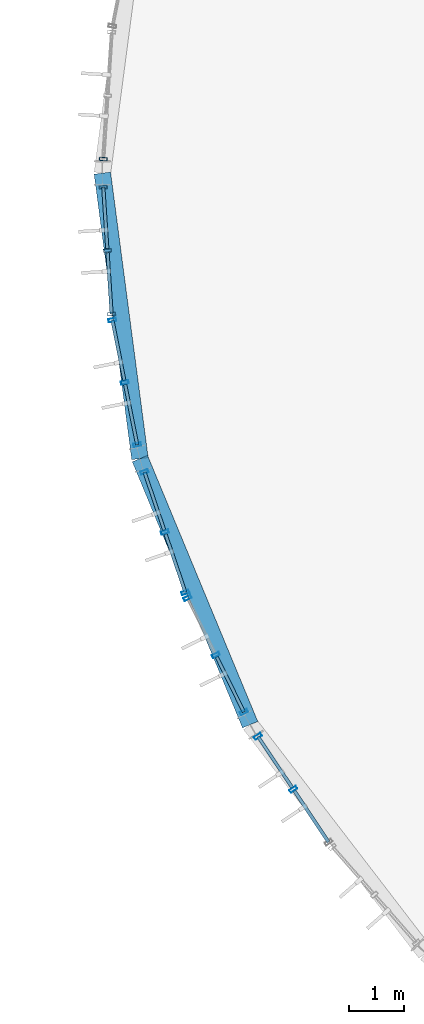
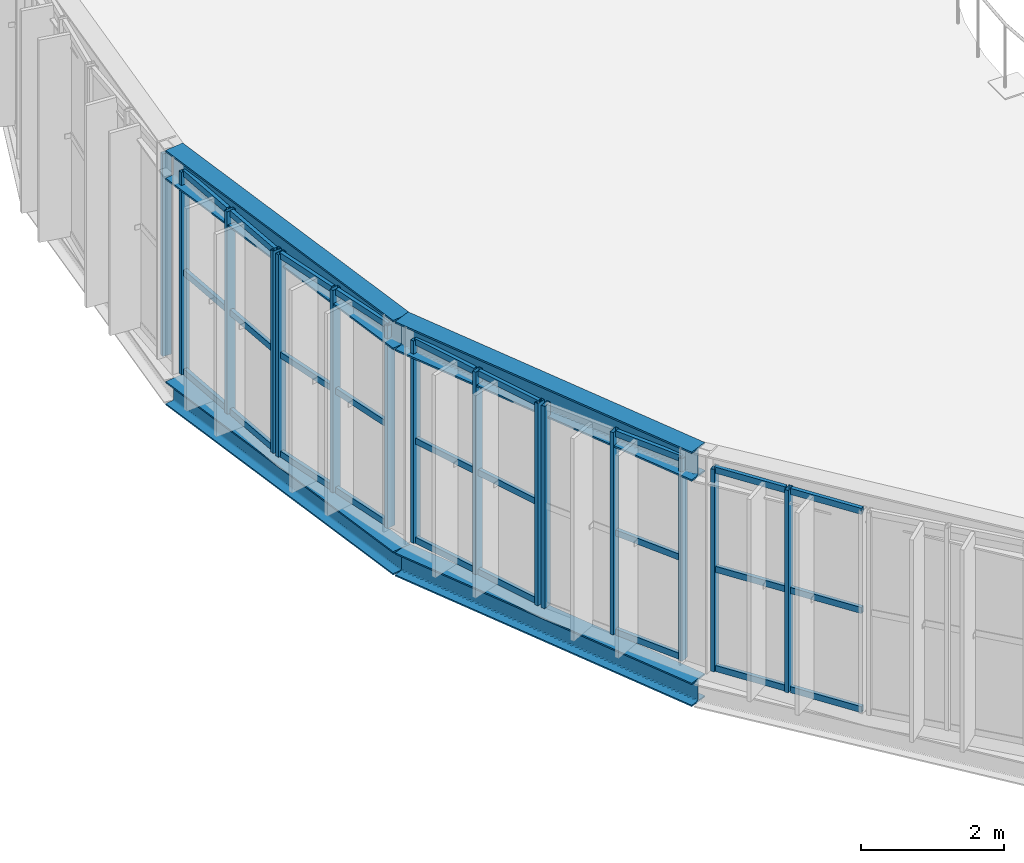
# One storey, part 16 of 152: 42 members, 4 beams, 6 elements without a shape of their own.
"""IFC4 building model written with IfcOpenShell, lengths in metres."""

from ifc_helpers import new_model, si_unit, derived_unit, direction, frame, origin, origin_2d, place, context, subcontext, project, spatial, hollow_rectangle, i_section, extrude, material, material_profile, profile_set, type_object, element, aggregate, save


model = new_model("IFC4")

# Units and contexts
model_context = context("Model", 3, precision=1e-05, world=origin(), true_north=direction((0.0, 1.0)))
body_context = subcontext(model_context, "Body", "Model", "MODEL_VIEW")
ifc_project = project(units=[si_unit("LENGTHUNIT", "METRE"), si_unit("AREAUNIT", "SQUARE_METRE"), si_unit("VOLUMEUNIT", "CUBIC_METRE"), si_unit("PLANEANGLEUNIT", "RADIAN"), si_unit("MASSUNIT", "GRAM", prefix="KILO"), si_unit("THERMODYNAMICTEMPERATUREUNIT", "KELVIN"), si_unit("TIMEUNIT", "SECOND"), derived_unit("THERMALTRANSMITTANCEUNIT", [(si_unit("MASSUNIT", "GRAM", prefix="KILO"), 1), (si_unit("THERMODYNAMICTEMPERATUREUNIT", "KELVIN"), -1), (si_unit("TIMEUNIT", "SECOND"), -3)])], contexts=[model_context])

# Site, building, storey
site_placement = place(None, origin())
site = spatial("IfcSite", under=ifc_project, at=site_placement, CompositionType="ELEMENT")
building_placement = place(site_placement, origin())
building = spatial("IfcBuilding", under=site, at=building_placement, Name="Cambertide Market Hall", CompositionType="ELEMENT")
storey_placement = place(building_placement, frame((0.0, 0.0, 5.39990234375)))
storey = spatial("IfcBuildingStorey", under=building, at=storey_placement, Name="L02", CompositionType="ELEMENT", Elevation=5.39990234375)

# Curtain wall, member
ifc_material_1 = material(Name="Marine Anodized Aluminium 6063-T6 AA25", Category="aluminium")
curtain_wall_type = type_object("IfcCurtainWallType", Name="Lantern Apse Chord Upper Curtain Wall", PredefinedType="USERDEFINED", material=ifc_material_1)
curtain_wall_1_placement = place(storey_placement, origin())
curtain_wall_1 = element("IfcCurtainWall", 1, at=curtain_wall_1_placement, inside=storey, type_object=curtain_wall_type, Name="Level 2 Curtain Wall CW-V1AW-L02-12", ObjectType="UNITIZED CURTAIN WALL", PredefinedType="USERDEFINED")
ifc_material_2 = material(Name="Champagne Marine Anodized Aluminium 6063-T6 AA25", Category="aluminium")
ifc_material_profile_1 = material_profile(ifc_material_2, hollow_rectangle(XDim=0.06005859375, YDim=0.139892578125, WallThickness=0.00341796875, at=origin_2d()), Name="ALU MULLION 60x140")
ifc_profile_set_1 = profile_set([ifc_material_profile_1], Name="Champagne Marine Anodized Aluminium 6063-T6 AA25")
member_type_1 = type_object("IfcMemberType", Name="Curtain Wall Mullion ALU MULLION 60x140", PredefinedType="MULLION", material=ifc_profile_set_1)
member_1_placement = place(storey_placement, frame((22.0166015625, 72.25439453125, 0.0), z_axis=(0.0, 0.0, 1.0), x_axis=(0.065403211921, 0.997858917819, 0.0)))
member_1 = element("IfcMember", 2, at=member_1_placement, type_object=member_type_1, Name="CW-V1AW-L02-12 Mullion 1", PredefinedType="MULLION", context=body_context, shape_type="SweptSolid", body=[
    extrude(hollow_rectangle(XDim=0.06005859375, YDim=0.139892578125, WallThickness=0.00341796875, at=origin_2d()), origin(), (0.0, 0.0, 1.0), 3.4501953125),
])
aggregate(curtain_wall_1, [member_1])

# Curtain wall, members
curtain_wall_2_placement = place(storey_placement, origin())
curtain_wall_2 = element("IfcCurtainWall", 3, at=curtain_wall_2_placement, inside=storey, type_object=curtain_wall_type, Name="Level 2 Curtain Wall CW-V1AW-L02-13", ObjectType="UNITIZED CURTAIN WALL", PredefinedType="USERDEFINED")
member_2_placement = place(storey_placement, frame((22.16748046875, 69.4443359375, 0.0), z_axis=(0.0, 0.0, 1.0), x_axis=(-0.065403211921, 0.997858917819, 0.0)))
member_2 = element("IfcMember", 4, at=member_2_placement, type_object=member_type_1, Name="CW-V1AW-L02-13 Mullion 1", PredefinedType="MULLION", context=body_context, shape_type="SweptSolid", body=[
    extrude(hollow_rectangle(XDim=0.06005859375, YDim=0.139892578125, WallThickness=0.00341796875, at=origin_2d()), origin(), (0.0, 0.0, 1.0), 3.4501953125),
])
member_3_placement = place(storey_placement, frame((22.092041015625, 70.594970703125, 0.0), z_axis=(0.0, 0.0, 1.0), x_axis=(-0.065403211921, 0.997858917819, 0.0)))
member_3 = element("IfcMember", 5, at=member_3_placement, type_object=member_type_1, Name="CW-V1AW-L02-13 Mullion 2", PredefinedType="MULLION", context=body_context, shape_type="SweptSolid", body=[
    extrude(hollow_rectangle(XDim=0.06005859375, YDim=0.139892578125, WallThickness=0.00341796875, at=origin_2d()), origin(), (0.0, 0.0, 1.0), 3.4501953125),
])
member_4_placement = place(storey_placement, frame((22.0166015625, 71.74560546875, 0.0), z_axis=(0.0, 0.0, 1.0), x_axis=(-0.065403211921, 0.997858917819, 0.0)))
member_4 = element("IfcMember", 6, at=member_4_placement, type_object=member_type_1, Name="CW-V1AW-L02-13 Mullion 3", PredefinedType="MULLION", context=body_context, shape_type="SweptSolid", body=[
    extrude(hollow_rectangle(XDim=0.06005859375, YDim=0.139892578125, WallThickness=0.00341796875, at=origin_2d()), origin(), (0.0, 0.0, 1.0), 3.4501953125),
])

curtain_wall_3_placement = place(storey_placement, origin())
curtain_wall_3 = element("IfcCurtainWall", 7, at=curtain_wall_3_placement, inside=storey, type_object=curtain_wall_type, Name="Level 2 Curtain Wall CW-V1AW-L02-14", ObjectType="UNITIZED CURTAIN WALL", PredefinedType="USERDEFINED")
member_5_placement = place(storey_placement, frame((22.6318359375, 67.07373046875, 0.0), z_axis=(0.0, 0.0, 1.0), x_axis=(-0.195090068226, 0.980785330885, 0.0)))
member_5 = element("IfcMember", 8, at=member_5_placement, type_object=member_type_1, Name="CW-V1AW-L02-14 Mullion 1", PredefinedType="MULLION", context=body_context, shape_type="SweptSolid", body=[
    extrude(hollow_rectangle(XDim=0.06005859375, YDim=0.139892578125, WallThickness=0.00341796875, at=origin_2d()), origin(), (0.0, 0.0, 1.0), 3.4501953125),
])
member_6_placement = place(storey_placement, frame((22.40673828125, 68.20458984375, 0.0), z_axis=(0.0, 0.0, 1.0), x_axis=(-0.195090068226, 0.980785330885, 0.0)))
member_6 = element("IfcMember", 9, at=member_6_placement, type_object=member_type_1, Name="CW-V1AW-L02-14 Mullion 2", PredefinedType="MULLION", context=body_context, shape_type="SweptSolid", body=[
    extrude(hollow_rectangle(XDim=0.06005859375, YDim=0.139892578125, WallThickness=0.00341796875, at=origin_2d()), origin(), (0.0, 0.0, 1.0), 3.4501953125),
])
member_7_placement = place(storey_placement, frame((22.181884765625, 69.33544921875, 0.0), z_axis=(0.0, 0.0, 1.0), x_axis=(-0.195090068226, 0.980785330885, 0.0)))
member_7 = element("IfcMember", 10, at=member_7_placement, type_object=member_type_1, Name="CW-V1AW-L02-14 Mullion 3", PredefinedType="MULLION", context=body_context, shape_type="SweptSolid", body=[
    extrude(hollow_rectangle(XDim=0.06005859375, YDim=0.139892578125, WallThickness=0.00341796875, at=origin_2d()), origin(), (0.0, 0.0, 1.0), 3.4501953125),
])

curtain_wall_4_placement = place(storey_placement, origin())
curtain_wall_4 = element("IfcCurtainWall", 11, at=curtain_wall_4_placement, inside=storey, type_object=curtain_wall_type, Name="Level 2 Curtain Wall CW-V1AW-L02-15", ObjectType="UNITIZED CURTAIN WALL", PredefinedType="USERDEFINED")
member_8_placement = place(storey_placement, frame((23.504638671875, 64.3984375, 0.0), z_axis=(0.0, 0.0, 1.0), x_axis=(-0.32143947831, 0.94693012508, 0.0)))
member_8 = element("IfcMember", 12, at=member_8_placement, type_object=member_type_1, Name="CW-V1AW-L02-15 Mullion 1", PredefinedType="MULLION", context=body_context, shape_type="SweptSolid", body=[
    extrude(hollow_rectangle(XDim=0.06005859375, YDim=0.139892578125, WallThickness=0.00341796875, at=origin_2d()), origin(), (0.0, 0.0, 1.0), 3.4501953125),
])
member_9_placement = place(storey_placement, frame((23.134033203125, 65.490234375, 0.0), z_axis=(0.0, 0.0, 1.0), x_axis=(-0.32143947831, 0.94693012508, 0.0)))
member_9 = element("IfcMember", 13, at=member_9_placement, type_object=member_type_1, Name="CW-V1AW-L02-15 Mullion 2", PredefinedType="MULLION", context=body_context, shape_type="SweptSolid", body=[
    extrude(hollow_rectangle(XDim=0.06005859375, YDim=0.139892578125, WallThickness=0.00341796875, at=origin_2d()), origin(), (0.0, 0.0, 1.0), 3.4501953125),
])
member_10_placement = place(storey_placement, frame((22.763427734375, 66.58203125, 0.0), z_axis=(0.0, 0.0, 1.0), x_axis=(-0.32143947831, 0.94693012508, 0.0)))
member_10 = element("IfcMember", 14, at=member_10_placement, type_object=member_type_1, Name="CW-V1AW-L02-15 Mullion 3", PredefinedType="MULLION", context=body_context, shape_type="SweptSolid", body=[
    extrude(hollow_rectangle(XDim=0.06005859375, YDim=0.139892578125, WallThickness=0.00341796875, at=origin_2d()), origin(), (0.0, 0.0, 1.0), 3.4501953125),
])

curtain_wall_5_placement = place(storey_placement, origin())
curtain_wall_5 = element("IfcCurtainWall", 15, at=curtain_wall_5_placement, inside=storey, type_object=curtain_wall_type, Name="Level 2 Curtain Wall CW-V1AW-L02-16", ObjectType="UNITIZED CURTAIN WALL", PredefinedType="USERDEFINED")
member_11_placement = place(storey_placement, frame((24.566650390625, 62.228759765625, 0.0), z_axis=(0.0, 0.0, 1.0), x_axis=(-0.442288874522, 0.896872650645, 0.0)))
member_11 = element("IfcMember", 16, at=member_11_placement, type_object=member_type_1, Name="CW-V1AW-L02-16 Mullion 1", PredefinedType="MULLION", context=body_context, shape_type="SweptSolid", body=[
    extrude(hollow_rectangle(XDim=0.06005859375, YDim=0.139892578125, WallThickness=0.00341796875, at=origin_2d()), origin(), (0.0, 0.0, 1.0), 3.4501953125),
])
member_12_placement = place(storey_placement, frame((24.056640625, 63.262939453125, 0.0), z_axis=(0.0, 0.0, 1.0), x_axis=(-0.442288874522, 0.896872650645, 0.0)))
member_12 = element("IfcMember", 17, at=member_12_placement, type_object=member_type_1, Name="CW-V1AW-L02-16 Mullion 2", PredefinedType="MULLION", context=body_context, shape_type="SweptSolid", body=[
    extrude(hollow_rectangle(XDim=0.06005859375, YDim=0.139892578125, WallThickness=0.00341796875, at=origin_2d()), origin(), (0.0, 0.0, 1.0), 3.4501953125),
])
member_13_placement = place(storey_placement, frame((23.546630859375, 64.297119140625, 0.0), z_axis=(0.0, 0.0, 1.0), x_axis=(-0.442288874522, 0.896872650645, 0.0)))
member_13 = element("IfcMember", 18, at=member_13_placement, type_object=member_type_1, Name="CW-V1AW-L02-16 Mullion 3", PredefinedType="MULLION", context=body_context, shape_type="SweptSolid", body=[
    extrude(hollow_rectangle(XDim=0.06005859375, YDim=0.139892578125, WallThickness=0.00341796875, at=origin_2d()), origin(), (0.0, 0.0, 1.0), 3.4501953125),
])

curtain_wall_6_placement = place(storey_placement, origin())
curtain_wall_6 = element("IfcCurtainWall", 19, at=curtain_wall_6_placement, inside=storey, type_object=curtain_wall_type, Name="Level 2 Curtain Wall CW-V1AW-L02-17", ObjectType="UNITIZED CURTAIN WALL", PredefinedType="USERDEFINED")
member_14_placement = place(storey_placement, frame((25.461669921875, 60.829345703125, 0.0), z_axis=(0.0, 0.0, 1.0), x_axis=(-0.555570087582, 0.831469709481, 0.0)))
member_14 = element("IfcMember", 20, at=member_14_placement, type_object=member_type_1, Name="CW-V1AW-L02-17 Mullion 2", PredefinedType="MULLION", context=body_context, shape_type="SweptSolid", body=[
    extrude(hollow_rectangle(XDim=0.06005859375, YDim=0.139892578125, WallThickness=0.00341796875, at=origin_2d()), origin(), (0.0, 0.0, 1.0), 3.4501953125),
])
member_15_placement = place(storey_placement, frame((24.821044921875, 61.7880859375, 0.0), z_axis=(0.0, 0.0, 1.0), x_axis=(-0.555570087582, 0.831469709481, 0.0)))
member_15 = element("IfcMember", 21, at=member_15_placement, type_object=member_type_1, Name="CW-V1AW-L02-17 Mullion 3", PredefinedType="MULLION", context=body_context, shape_type="SweptSolid", body=[
    extrude(hollow_rectangle(XDim=0.06005859375, YDim=0.139892578125, WallThickness=0.00341796875, at=origin_2d()), origin(), (0.0, 0.0, 1.0), 3.4501953125),
])

# Member
ifc_material_3 = material(Name="Champagne Marine Anodized Aluminium 6063-T6 AA25", Category="aluminium")
ifc_material_profile_2 = material_profile(ifc_material_3, hollow_rectangle(XDim=0.06005859375, YDim=0.10498046875, WallThickness=0.0029296875, at=origin_2d()), Name="ALU TRANSOM 60x105")
ifc_profile_set_2 = profile_set([ifc_material_profile_2], Name="Champagne Marine Anodized Aluminium 6063-T6 AA25")
member_type_2 = type_object("IfcMemberType", Name="Curtain Wall Transom ALU TRANSOM 60x105", PredefinedType="USERDEFINED", material=ifc_profile_set_2)
member_16_placement = place(storey_placement, frame((22.167236328125, 69.449462890625, 0.03515625), z_axis=(-0.065451228695, 0.997855769469, 0.0), x_axis=(-0.997855769469, -0.065451228695, 0.0)))
member_16 = element("IfcMember", 22, at=member_16_placement, type_object=member_type_2, Name="CW-V1AW-L02-13 Transom 1-1", ObjectType="TRANSOM", PredefinedType="USERDEFINED", context=body_context, shape_type="SweptSolid", body=[
    extrude(hollow_rectangle(XDim=0.06005859375, YDim=0.10498046875, WallThickness=0.0029296875, at=origin_2d()), origin(), (0.0, 0.0, 1.0), 1.10791015625),
])

member_17_placement = place(storey_placement, frame((22.08935546875, 70.634765625, 0.03515625), z_axis=(-0.065217451634, 0.997871075842, 0.0), x_axis=(-0.997871075842, -0.065217451634, 0.0)))
member_17 = element("IfcMember", 23, at=member_17_placement, type_object=member_type_2, Name="CW-V1AW-L02-13 Transom 1-2", ObjectType="TRANSOM", PredefinedType="USERDEFINED", context=body_context, shape_type="SweptSolid", body=[
    extrude(hollow_rectangle(XDim=0.06005859375, YDim=0.10498046875, WallThickness=0.0029296875, at=origin_2d()), origin(), (0.0, 0.0, 1.0), 1.108154296875),
])

member_18_placement = place(storey_placement, frame((22.167236328125, 69.449462890625, 1.72509765625), z_axis=(-0.065451228695, 0.997855769469, 0.0), x_axis=(-0.997855769469, -0.065451228695, 0.0)))
member_18 = element("IfcMember", 24, at=member_18_placement, type_object=member_type_2, Name="CW-V1AW-L02-13 Transom 2-1", ObjectType="TRANSOM", PredefinedType="USERDEFINED", context=body_context, shape_type="SweptSolid", body=[
    extrude(hollow_rectangle(XDim=0.06005859375, YDim=0.10498046875, WallThickness=0.0029296875, at=origin_2d()), origin(), (0.0, 0.0, 1.0), 1.10791015625),
])

member_19_placement = place(storey_placement, frame((22.08935546875, 70.634765625, 1.72509765625), z_axis=(-0.065217451634, 0.997871075842, 0.0), x_axis=(-0.997871075842, -0.065217451634, 0.0)))
member_19 = element("IfcMember", 25, at=member_19_placement, type_object=member_type_2, Name="CW-V1AW-L02-13 Transom 2-2", ObjectType="TRANSOM", PredefinedType="USERDEFINED", context=body_context, shape_type="SweptSolid", body=[
    extrude(hollow_rectangle(XDim=0.06005859375, YDim=0.10498046875, WallThickness=0.0029296875, at=origin_2d()), origin(), (0.0, 0.0, 1.0), 1.108154296875),
])

member_20_placement = place(storey_placement, frame((22.167236328125, 69.449462890625, 3.4150390625), z_axis=(-0.065451228695, 0.997855769469, 0.0), x_axis=(-0.997855769469, -0.065451228695, 0.0)))
member_20 = element("IfcMember", 26, at=member_20_placement, type_object=member_type_2, Name="CW-V1AW-L02-13 Transom 3-1", ObjectType="TRANSOM", PredefinedType="USERDEFINED", context=body_context, shape_type="SweptSolid", body=[
    extrude(hollow_rectangle(XDim=0.06005859375, YDim=0.10498046875, WallThickness=0.0029296875, at=origin_2d()), origin(), (0.0, 0.0, 1.0), 1.10791015625),
])

member_21_placement = place(storey_placement, frame((22.08935546875, 70.634765625, 3.4150390625), z_axis=(-0.065217451634, 0.997871075842, 0.0), x_axis=(-0.997871075842, -0.065217451634, 0.0)))
member_21 = element("IfcMember", 27, at=member_21_placement, type_object=member_type_2, Name="CW-V1AW-L02-13 Transom 3-2", ObjectType="TRANSOM", PredefinedType="USERDEFINED", context=body_context, shape_type="SweptSolid", body=[
    extrude(hollow_rectangle(XDim=0.06005859375, YDim=0.10498046875, WallThickness=0.0029296875, at=origin_2d()), origin(), (0.0, 0.0, 1.0), 1.108154296875),
])

aggregate(curtain_wall_2, [member_2, member_3, member_4, member_16, member_17, member_18, member_19, member_20, member_21])

member_22_placement = place(storey_placement, frame((22.630859375, 67.07861328125, 0.03515625), z_axis=(-0.195226197175, 0.980758243369, 0.0), x_axis=(-0.980758243369, -0.195226197175, 0.0)))
member_22 = element("IfcMember", 28, at=member_22_placement, type_object=member_type_2, Name="CW-V1AW-L02-14 Transom 1-1", ObjectType="TRANSOM", PredefinedType="USERDEFINED", context=body_context, shape_type="SweptSolid", body=[
    extrude(hollow_rectangle(XDim=0.06005859375, YDim=0.10498046875, WallThickness=0.0029296875, at=origin_2d()), origin(), (0.0, 0.0, 1.0), 1.10791015625),
])

member_23_placement = place(storey_placement, frame((22.39892578125, 68.243896484375, 0.03515625), z_axis=(-0.195014235999, 0.980800411785, 0.0), x_axis=(-0.980800411785, -0.195014235999, 0.0)))
member_23 = element("IfcMember", 29, at=member_23_placement, type_object=member_type_2, Name="CW-V1AW-L02-14 Transom 1-2", ObjectType="TRANSOM", PredefinedType="USERDEFINED", context=body_context, shape_type="SweptSolid", body=[
    extrude(hollow_rectangle(XDim=0.06005859375, YDim=0.10498046875, WallThickness=0.0029296875, at=origin_2d()), origin(), (0.0, 0.0, 1.0), 1.10791015625),
])

member_24_placement = place(storey_placement, frame((22.630859375, 67.07861328125, 1.72509765625), z_axis=(-0.195226197175, 0.980758243369, 0.0), x_axis=(-0.980758243369, -0.195226197175, 0.0)))
member_24 = element("IfcMember", 30, at=member_24_placement, type_object=member_type_2, Name="CW-V1AW-L02-14 Transom 2-1", ObjectType="TRANSOM", PredefinedType="USERDEFINED", context=body_context, shape_type="SweptSolid", body=[
    extrude(hollow_rectangle(XDim=0.06005859375, YDim=0.10498046875, WallThickness=0.0029296875, at=origin_2d()), origin(), (0.0, 0.0, 1.0), 1.10791015625),
])

member_25_placement = place(storey_placement, frame((22.39892578125, 68.243896484375, 1.72509765625), z_axis=(-0.195014235999, 0.980800411785, 0.0), x_axis=(-0.980800411785, -0.195014235999, 0.0)))
member_25 = element("IfcMember", 31, at=member_25_placement, type_object=member_type_2, Name="CW-V1AW-L02-14 Transom 2-2", ObjectType="TRANSOM", PredefinedType="USERDEFINED", context=body_context, shape_type="SweptSolid", body=[
    extrude(hollow_rectangle(XDim=0.06005859375, YDim=0.10498046875, WallThickness=0.0029296875, at=origin_2d()), origin(), (0.0, 0.0, 1.0), 1.10791015625),
])

member_26_placement = place(storey_placement, frame((22.630859375, 67.07861328125, 3.4150390625), z_axis=(-0.195226197175, 0.980758243369, 0.0), x_axis=(-0.980758243369, -0.195226197175, 0.0)))
member_26 = element("IfcMember", 32, at=member_26_placement, type_object=member_type_2, Name="CW-V1AW-L02-14 Transom 3-1", ObjectType="TRANSOM", PredefinedType="USERDEFINED", context=body_context, shape_type="SweptSolid", body=[
    extrude(hollow_rectangle(XDim=0.06005859375, YDim=0.10498046875, WallThickness=0.0029296875, at=origin_2d()), origin(), (0.0, 0.0, 1.0), 1.10791015625),
])

member_27_placement = place(storey_placement, frame((22.39892578125, 68.243896484375, 3.4150390625), z_axis=(-0.195014235999, 0.980800411785, 0.0), x_axis=(-0.980800411785, -0.195014235999, 0.0)))
member_27 = element("IfcMember", 33, at=member_27_placement, type_object=member_type_2, Name="CW-V1AW-L02-14 Transom 3-2", ObjectType="TRANSOM", PredefinedType="USERDEFINED", context=body_context, shape_type="SweptSolid", body=[
    extrude(hollow_rectangle(XDim=0.06005859375, YDim=0.10498046875, WallThickness=0.0029296875, at=origin_2d()), origin(), (0.0, 0.0, 1.0), 1.10791015625),
])

aggregate(curtain_wall_3, [member_5, member_6, member_7, member_22, member_23, member_24, member_25, member_26, member_27])

member_28_placement = place(storey_placement, frame((23.503173828125, 64.403076171875, 0.03515625), z_axis=(-0.321444521782, 0.946928413037, 0.0), x_axis=(-0.946928413037, -0.321444521782, 0.0)))
member_28 = element("IfcMember", 34, at=member_28_placement, type_object=member_type_2, Name="CW-V1AW-L02-15 Transom 1-1", ObjectType="TRANSOM", PredefinedType="USERDEFINED", context=body_context, shape_type="SweptSolid", body=[
    extrude(hollow_rectangle(XDim=0.06005859375, YDim=0.10498046875, WallThickness=0.0029296875, at=origin_2d()), origin(), (0.0, 0.0, 1.0), 1.108154296875),
])

member_29_placement = place(storey_placement, frame((23.121337890625, 65.528076171875, 0.03515625), z_axis=(-0.321444521782, 0.946928413037, 0.0), x_axis=(-0.946928413037, -0.321444521782, 0.0)))
member_29 = element("IfcMember", 35, at=member_29_placement, type_object=member_type_2, Name="CW-V1AW-L02-15 Transom 1-2", ObjectType="TRANSOM", PredefinedType="USERDEFINED", context=body_context, shape_type="SweptSolid", body=[
    extrude(hollow_rectangle(XDim=0.06005859375, YDim=0.10498046875, WallThickness=0.0029296875, at=origin_2d()), origin(), (0.0, 0.0, 1.0), 1.108154296875),
])

member_30_placement = place(storey_placement, frame((23.503173828125, 64.403076171875, 1.72509765625), z_axis=(-0.321444521782, 0.946928413037, 0.0), x_axis=(-0.946928413037, -0.321444521782, 0.0)))
member_30 = element("IfcMember", 36, at=member_30_placement, type_object=member_type_2, Name="CW-V1AW-L02-15 Transom 2-1", ObjectType="TRANSOM", PredefinedType="USERDEFINED", context=body_context, shape_type="SweptSolid", body=[
    extrude(hollow_rectangle(XDim=0.06005859375, YDim=0.10498046875, WallThickness=0.0029296875, at=origin_2d()), origin(), (0.0, 0.0, 1.0), 1.108154296875),
])

member_31_placement = place(storey_placement, frame((23.121337890625, 65.528076171875, 1.72509765625), z_axis=(-0.321444521782, 0.946928413037, 0.0), x_axis=(-0.946928413037, -0.321444521782, 0.0)))
member_31 = element("IfcMember", 37, at=member_31_placement, type_object=member_type_2, Name="CW-V1AW-L02-15 Transom 2-2", ObjectType="TRANSOM", PredefinedType="USERDEFINED", context=body_context, shape_type="SweptSolid", body=[
    extrude(hollow_rectangle(XDim=0.06005859375, YDim=0.10498046875, WallThickness=0.0029296875, at=origin_2d()), origin(), (0.0, 0.0, 1.0), 1.108154296875),
])

member_32_placement = place(storey_placement, frame((23.503173828125, 64.403076171875, 3.4150390625), z_axis=(-0.321444521782, 0.946928413037, 0.0), x_axis=(-0.946928413037, -0.321444521782, 0.0)))
member_32 = element("IfcMember", 38, at=member_32_placement, type_object=member_type_2, Name="CW-V1AW-L02-15 Transom 3-1", ObjectType="TRANSOM", PredefinedType="USERDEFINED", context=body_context, shape_type="SweptSolid", body=[
    extrude(hollow_rectangle(XDim=0.06005859375, YDim=0.10498046875, WallThickness=0.0029296875, at=origin_2d()), origin(), (0.0, 0.0, 1.0), 1.108154296875),
])

member_33_placement = place(storey_placement, frame((23.121337890625, 65.528076171875, 3.4150390625), z_axis=(-0.321444521782, 0.946928413037, 0.0), x_axis=(-0.946928413037, -0.321444521782, 0.0)))
member_33 = element("IfcMember", 39, at=member_33_placement, type_object=member_type_2, Name="CW-V1AW-L02-15 Transom 3-2", ObjectType="TRANSOM", PredefinedType="USERDEFINED", context=body_context, shape_type="SweptSolid", body=[
    extrude(hollow_rectangle(XDim=0.06005859375, YDim=0.10498046875, WallThickness=0.0029296875, at=origin_2d()), origin(), (0.0, 0.0, 1.0), 1.108154296875),
])

aggregate(curtain_wall_4, [member_8, member_9, member_10, member_28, member_29, member_30, member_31, member_32, member_33])

member_34_placement = place(storey_placement, frame((24.564453125, 62.233154296875, 0.03515625), z_axis=(-0.442183235129, 0.896924738521, 0.0), x_axis=(-0.896924738521, -0.442183235129, 0.0)))
member_34 = element("IfcMember", 40, at=member_34_placement, type_object=member_type_2, Name="CW-V1AW-L02-16 Transom 1-1", ObjectType="TRANSOM", PredefinedType="USERDEFINED", context=body_context, shape_type="SweptSolid", body=[
    extrude(hollow_rectangle(XDim=0.06005859375, YDim=0.10498046875, WallThickness=0.0029296875, at=origin_2d()), origin(), (0.0, 0.0, 1.0), 1.108154296875),
])

member_35_placement = place(storey_placement, frame((24.564453125, 62.233154296875, 1.72509765625), z_axis=(-0.442183235129, 0.896924738521, 0.0), x_axis=(-0.896924738521, -0.442183235129, 0.0)))
member_35 = element("IfcMember", 41, at=member_35_placement, type_object=member_type_2, Name="CW-V1AW-L02-16 Transom 2-1", ObjectType="TRANSOM", PredefinedType="USERDEFINED", context=body_context, shape_type="SweptSolid", body=[
    extrude(hollow_rectangle(XDim=0.06005859375, YDim=0.10498046875, WallThickness=0.0029296875, at=origin_2d()), origin(), (0.0, 0.0, 1.0), 1.108154296875),
])

member_36_placement = place(storey_placement, frame((24.564453125, 62.233154296875, 3.4150390625), z_axis=(-0.442183235129, 0.896924738521, 0.0), x_axis=(-0.896924738521, -0.442183235129, 0.0)))
member_36 = element("IfcMember", 42, at=member_36_placement, type_object=member_type_2, Name="CW-V1AW-L02-16 Transom 3-1", ObjectType="TRANSOM", PredefinedType="USERDEFINED", context=body_context, shape_type="SweptSolid", body=[
    extrude(hollow_rectangle(XDim=0.06005859375, YDim=0.10498046875, WallThickness=0.0029296875, at=origin_2d()), origin(), (0.0, 0.0, 1.0), 1.108154296875),
])

aggregate(curtain_wall_5, [member_11, member_12, member_13, member_34, member_35, member_36])

member_37_placement = place(storey_placement, frame((26.099609375, 59.874755859375, 0.03515625), z_axis=(-0.55571677103, 0.831371680054, 0.0), x_axis=(-0.831371680054, -0.55571677103, 0.0)))
member_37 = element("IfcMember", 43, at=member_37_placement, type_object=member_type_2, Name="CW-V1AW-L02-17 Transom 1-1", ObjectType="TRANSOM", PredefinedType="USERDEFINED", context=body_context, shape_type="SweptSolid", body=[
    extrude(hollow_rectangle(XDim=0.06005859375, YDim=0.10498046875, WallThickness=0.0029296875, at=origin_2d()), origin(), (0.0, 0.0, 1.0), 1.10791015625),
])

member_38_placement = place(storey_placement, frame((25.439453125, 60.862548828125, 0.03515625), z_axis=(-0.555462658685, 0.83154148111, 0.0), x_axis=(-0.83154148111, -0.555462658685, 0.0)))
member_38 = element("IfcMember", 44, at=member_38_placement, type_object=member_type_2, Name="CW-V1AW-L02-17 Transom 1-2", ObjectType="TRANSOM", PredefinedType="USERDEFINED", context=body_context, shape_type="SweptSolid", body=[
    extrude(hollow_rectangle(XDim=0.06005859375, YDim=0.10498046875, WallThickness=0.0029296875, at=origin_2d()), origin(), (0.0, 0.0, 1.0), 1.108154296875),
])

member_39_placement = place(storey_placement, frame((26.099609375, 59.874755859375, 1.72509765625), z_axis=(-0.55571677103, 0.831371680054, 0.0), x_axis=(-0.831371680054, -0.55571677103, 0.0)))
member_39 = element("IfcMember", 45, at=member_39_placement, type_object=member_type_2, Name="CW-V1AW-L02-17 Transom 2-1", ObjectType="TRANSOM", PredefinedType="USERDEFINED", context=body_context, shape_type="SweptSolid", body=[
    extrude(hollow_rectangle(XDim=0.06005859375, YDim=0.10498046875, WallThickness=0.0029296875, at=origin_2d()), origin(), (0.0, 0.0, 1.0), 1.10791015625),
])

member_40_placement = place(storey_placement, frame((25.439453125, 60.862548828125, 1.72509765625), z_axis=(-0.555462658685, 0.83154148111, 0.0), x_axis=(-0.83154148111, -0.555462658685, 0.0)))
member_40 = element("IfcMember", 46, at=member_40_placement, type_object=member_type_2, Name="CW-V1AW-L02-17 Transom 2-2", ObjectType="TRANSOM", PredefinedType="USERDEFINED", context=body_context, shape_type="SweptSolid", body=[
    extrude(hollow_rectangle(XDim=0.06005859375, YDim=0.10498046875, WallThickness=0.0029296875, at=origin_2d()), origin(), (0.0, 0.0, 1.0), 1.108154296875),
])

member_41_placement = place(storey_placement, frame((26.099609375, 59.874755859375, 3.4150390625), z_axis=(-0.55571677103, 0.831371680054, 0.0), x_axis=(-0.831371680054, -0.55571677103, 0.0)))
member_41 = element("IfcMember", 47, at=member_41_placement, type_object=member_type_2, Name="CW-V1AW-L02-17 Transom 3-1", ObjectType="TRANSOM", PredefinedType="USERDEFINED", context=body_context, shape_type="SweptSolid", body=[
    extrude(hollow_rectangle(XDim=0.06005859375, YDim=0.10498046875, WallThickness=0.0029296875, at=origin_2d()), origin(), (0.0, 0.0, 1.0), 1.10791015625),
])

member_42_placement = place(storey_placement, frame((25.439453125, 60.862548828125, 3.4150390625), z_axis=(-0.555462658685, 0.83154148111, 0.0), x_axis=(-0.83154148111, -0.555462658685, 0.0)))
member_42 = element("IfcMember", 48, at=member_42_placement, type_object=member_type_2, Name="CW-V1AW-L02-17 Transom 3-2", ObjectType="TRANSOM", PredefinedType="USERDEFINED", context=body_context, shape_type="SweptSolid", body=[
    extrude(hollow_rectangle(XDim=0.06005859375, YDim=0.10498046875, WallThickness=0.0029296875, at=origin_2d()), origin(), (0.0, 0.0, 1.0), 1.108154296875),
])

aggregate(curtain_wall_6, [member_14, member_15, member_37, member_38, member_39, member_40, member_41, member_42])

# Beams
ifc_material_4 = material(Name="Steel S355", Category="steel")
ifc_material_profile_3 = material_profile(ifc_material_4, i_section(OverallWidth=0.300048828125, OverallDepth=0.5, WebThickness=0.014404296875, FlangeThickness=0.028076171875, FilletRadius=0.027099609375, at=origin_2d()), Name="HEB 500")
ifc_profile_set_3 = profile_set([ifc_material_profile_3], Name="Steel S355")
beam_type_1 = type_object("IfcBeamType", Name="Exterior Steel Girder HEB 500", PredefinedType="BEAM", material=ifc_profile_set_3)
beam_1_placement = place(storey_placement, frame((22.0, 72.0, 3.4501953125), z_axis=(0.130512574825, -0.991446654043, 0.0), x_axis=(0.991446654043, 0.130512574825, 0.0)))
element("IfcBeam", 49, at=beam_1_placement, inside=storey, type_object=beam_type_1, Name="Level 2 Beam EAVE-V1AW-07", PredefinedType="BEAM", context=body_context, shape_type="SweptSolid", body=[
    extrude(i_section(OverallWidth=0.300048828125, OverallDepth=0.5, WebThickness=0.014404296875, FlangeThickness=0.028076171875, FilletRadius=0.027099609375, at=origin_2d()), origin(), (0.0, 0.0, 1.0), 5.220947265625),
])
beam_2_placement = place(storey_placement, frame((22.681396484375, 66.82373046875, 3.4501953125), z_axis=(0.382682172528, -0.923880054352, 0.0), x_axis=(0.923880054352, 0.382682172528, 0.0)))
element("IfcBeam", 50, at=beam_2_placement, inside=storey, type_object=beam_type_1, Name="Level 2 Beam EAVE-V1AW-08", PredefinedType="BEAM", context=body_context, shape_type="SweptSolid", body=[
    extrude(i_section(OverallWidth=0.300048828125, OverallDepth=0.5, WebThickness=0.014404296875, FlangeThickness=0.028076171875, FilletRadius=0.027099609375, at=origin_2d()), origin(), (0.0, 0.0, 1.0), 5.22119140625),
])
ifc_material_5 = material(Name="Steel S355", Category="steel")
ifc_material_profile_4 = material_profile(ifc_material_5, i_section(OverallWidth=0.300048828125, OverallDepth=0.39990234375, WebThickness=0.013427734375, FlangeThickness=0.02392578125, FilletRadius=0.027099609375, at=origin_2d()), Name="HEB 400")
ifc_profile_set_4 = profile_set([ifc_material_profile_4], Name="Steel S355")
beam_type_2 = type_object("IfcBeamType", Name="Steel Girder HEB 400", PredefinedType="BEAM", material=ifc_profile_set_4)
beam_3_placement = place(storey_placement, frame((22.0, 72.0, -0.43994140625), z_axis=(0.130512574825, -0.991446654043, 0.0), x_axis=(0.991446654043, 0.130512574825, 0.0)))
element("IfcBeam", 51, at=beam_3_placement, inside=storey, type_object=beam_type_2, Name="Level 2 Beam BM-V1AW-L02-7", PredefinedType="BEAM", context=body_context, shape_type="SweptSolid", body=[
    extrude(i_section(OverallWidth=0.300048828125, OverallDepth=0.39990234375, WebThickness=0.013427734375, FlangeThickness=0.02392578125, FilletRadius=0.027099609375, at=origin_2d()), origin(), (0.0, 0.0, 1.0), 5.220947265625),
])
beam_4_placement = place(storey_placement, frame((22.681396484375, 66.82373046875, -0.43994140625), z_axis=(0.382682172528, -0.923880054352, 0.0), x_axis=(0.923880054352, 0.382682172528, 0.0)))
element("IfcBeam", 52, at=beam_4_placement, inside=storey, type_object=beam_type_2, Name="Level 2 Beam BM-V1AW-L02-8", PredefinedType="BEAM", context=body_context, shape_type="SweptSolid", body=[
    extrude(i_section(OverallWidth=0.300048828125, OverallDepth=0.39990234375, WebThickness=0.013427734375, FlangeThickness=0.02392578125, FilletRadius=0.027099609375, at=origin_2d()), origin(), (0.0, 0.0, 1.0), 5.22119140625),
])

save(model, "model.ifc")
